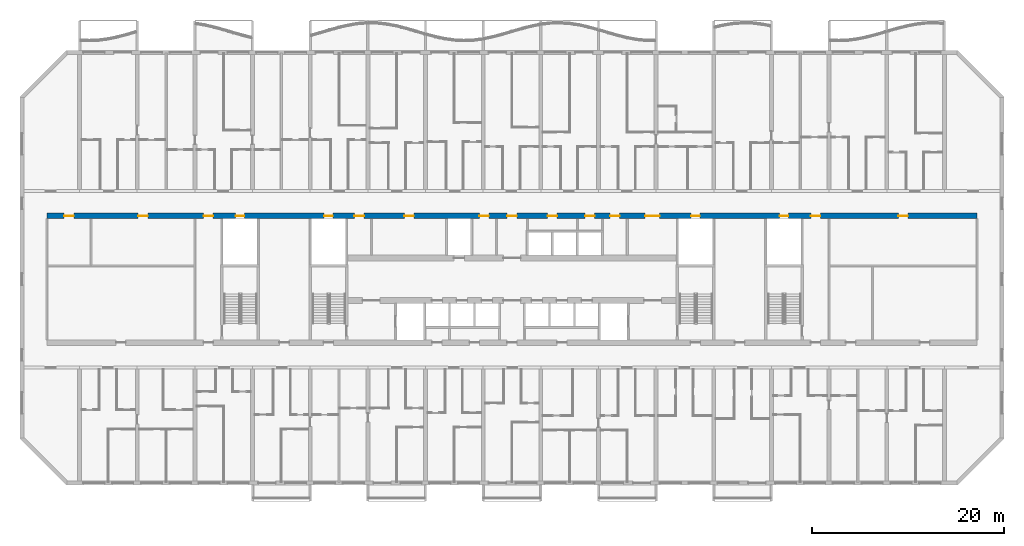
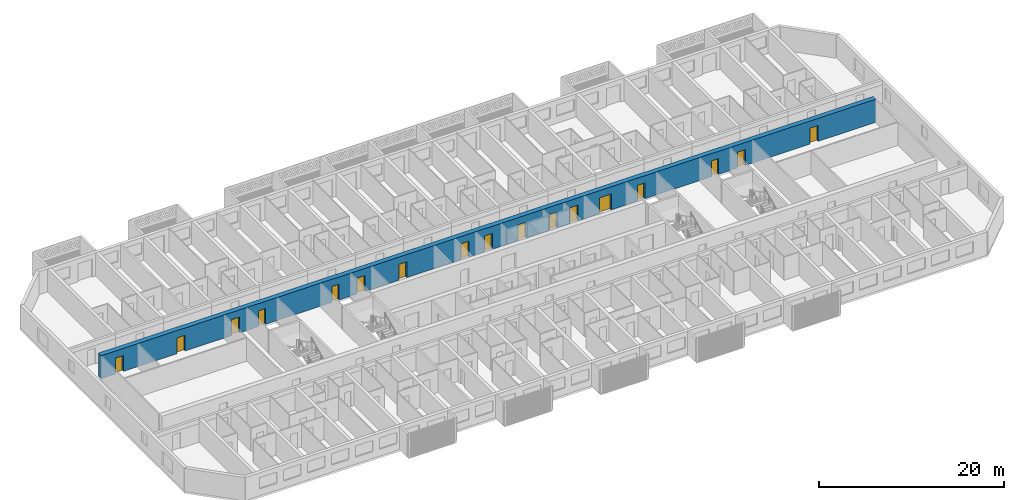
# One storey, part 11 of 44: 17 doors, 1 wall, 17 openings.
"""IFC4 building model written with IfcOpenShell, lengths in metres."""

import ifcopenshell
import ifcopenshell.guid

model = None  # the IFC model being written
_history = None  # IfcOwnerHistory: only IFC2X3 demands one
_inside = {}  # id of a spatial element -> (the spatial element, [elements in it])
_under = {}  # id of a project, library or spatial element -> (it, [spatial elements below it])
_declared = {}  # id of a project -> (the project, [libraries it declares])
_typed = {}  # id of a type object -> (the type object, [elements of that type])
_made_of = {}  # id of a material, layer set ... -> (it, [elements and type objects made of it])


def new_model(schema):
    """Start an empty IFC model of exactly this schema.

    Asked for "IFC4X3", IfcOpenShell would pick the latest addendum, in which some entities
    have other attributes; the version numbers below select the first issue.
    IFC2X3 requires an IfcOwnerHistory on every rooted entity: one is made here for all.
    """
    global model, _history
    if schema == "IFC4X3":
        model = ifcopenshell.file(schema_version=(4, 3, 0, 0))
    else:
        model = ifcopenshell.file(schema=schema)
    _inside.clear()
    _under.clear()
    _declared.clear()
    _typed.clear()
    _made_of.clear()
    _history = None
    if model.schema == "IFC2X3":
        org = make("IfcOrganization", Name="unknown")
        user = make(
            "IfcPersonAndOrganization",
            ThePerson=make("IfcPerson", FamilyName="unknown"),
            TheOrganization=org,
        )
        app = make(
            "IfcApplication",
            ApplicationDeveloper=org,
            Version="unknown",
            ApplicationFullName="unknown",
            ApplicationIdentifier="unknown",
        )
        _history = make(
            "IfcOwnerHistory",
            OwningUser=user,
            OwningApplication=app,
            ChangeAction="ADDED",
            CreationDate=0,
        )
    return model


def make(cls, **values):
    """One entity of the class cls with the attributes given. An attribute that is None is left unset."""
    return model.create_entity(
        cls, **{name: value for name, value in values.items() if value is not None}
    )


def rooted(cls, **values):
    """An entity with a GlobalId (a new one), such as an element, a storey or a relation."""
    return make(cls, GlobalId=ifcopenshell.guid.new(), OwnerHistory=_history, **values)


def si_unit(unit_type, name, prefix=None):
    """IfcSIUnit, for example si_unit("LENGTHUNIT", "METRE", prefix="MILLI")."""
    return make("IfcSIUnit", UnitType=unit_type, Prefix=prefix, Name=name)


def assignment(units):
    """IfcUnitAssignment: the units of a project."""
    return None if units is None else make("IfcUnitAssignment", Units=units)


def point(xyz):
    """IfcCartesianPoint."""
    return None if xyz is None else make("IfcCartesianPoint", Coordinates=xyz)


def direction(xyz):
    """IfcDirection."""
    return None if xyz is None else make("IfcDirection", DirectionRatios=xyz)


def frame(location, z_axis=None, x_axis=None):
    """IfcAxis2Placement3D, a coordinate frame: its origin and axes. An axis left out is left unset."""
    return make(
        "IfcAxis2Placement3D",
        Location=point(location),
        Axis=direction(z_axis),
        RefDirection=direction(x_axis),
    )


def frame_2d(location, x_axis=None):
    """IfcAxis2Placement2D, a coordinate frame in the plane: its origin and x axis."""
    return make(
        "IfcAxis2Placement2D", Location=point(location), RefDirection=direction(x_axis)
    )


def origin():
    """The frame at (0, 0, 0) with its axes left unset."""
    return frame((0.0, 0.0, 0.0))


def place(relative_to, where):
    """IfcLocalPlacement: puts the frame where relative to a parent placement (None: the world)."""
    return make(
        "IfcLocalPlacement", PlacementRelTo=relative_to, RelativePlacement=where
    )


def context(
    kind, dimensions, precision=None, world=None, true_north=None, identifier=None
):
    """IfcGeometricRepresentationContext, for example the 3D "Model" context."""
    return make(
        "IfcGeometricRepresentationContext",
        ContextIdentifier=identifier,
        ContextType=kind,
        CoordinateSpaceDimension=dimensions,
        Precision=precision,
        WorldCoordinateSystem=world,
        TrueNorth=true_north,
    )


def subcontext(parent, identifier, kind, view, scale=None):
    """IfcGeometricRepresentationSubContext, for example "Body" below "Model"."""
    return make(
        "IfcGeometricRepresentationSubContext",
        ContextIdentifier=identifier,
        ContextType=kind,
        ParentContext=parent,
        TargetScale=scale,
        TargetView=view,
    )


def project(units=None, contexts=None):
    """IfcProject with its units and contexts."""
    return rooted(
        "IfcProject",
        Name="project",
        RepresentationContexts=contexts,
        UnitsInContext=assignment(units),
    )


def spatial(cls, under=None, at=None, **own):
    """A site, building, storey or space (cls), placed at a placement, below another one or the project."""
    s = rooted(cls, ObjectPlacement=at, **own)
    if under is not None:
        _under.setdefault(under.id(), (under, []))[1].append(s)
    return s


def profile(cls, at=None, kind="AREA", **sizes):
    """A parametric profile (cls). Its sizes go by their IFC names, for example OverallWidth=200.0."""
    return make(cls, ProfileType=kind, Position=at, **sizes)


def rectangle(**sizes):
    """IfcRectangleProfileDef."""
    return profile("IfcRectangleProfileDef", **sizes)


def extrude(swept, where, along, depth):
    """IfcExtrudedAreaSolid: the profile swept, set in the frame where, extruded along a direction by depth."""
    return make(
        "IfcExtrudedAreaSolid",
        SweptArea=swept,
        Position=where,
        ExtrudedDirection=direction(along),
        Depth=depth,
    )


def shape(context_of_items, identifier, shape_type, items):
    """IfcShapeRepresentation: the items that make up one representation, for example the "Body"."""
    return make(
        "IfcShapeRepresentation",
        ContextOfItems=context_of_items,
        RepresentationIdentifier=identifier,
        RepresentationType=shape_type,
        Items=items,
    )


def material(Name=None, Category=None):
    """IfcMaterial."""
    return make("IfcMaterial", Name=Name, Category=Category)


def layer(
    of_material, thickness, ventilated=None, Name=None, Category=None, Priority=None
):
    """IfcMaterialLayer: one layer of a wall or slab, of a material (None: an air gap)."""
    return make(
        "IfcMaterialLayer",
        Material=of_material,
        LayerThickness=thickness,
        IsVentilated=ventilated,
        Name=Name,
        Category=Category,
        Priority=Priority,
    )


def layer_set(layers, Name=None):
    """IfcMaterialLayerSet."""
    return make("IfcMaterialLayerSet", MaterialLayers=layers, LayerSetName=Name)


def made_of(thing, what):
    """Note that an element or type object is made of a material, layer set ...; save() writes the relation."""
    if what is not None:
        _made_of.setdefault(what.id(), (what, []))[1].append(thing)
    return thing


def type_object(cls, material=None, **own):
    """A type object (cls), such as IfcWallType, which elements share."""
    return made_of(rooted(cls, **own), material)


def element(
    cls,
    number,
    at=None,
    inside=None,
    cuts=None,
    type_object=None,
    material=None,
    context=None,
    identifier="Body",
    shape_type=None,
    held_by="IfcProductDefinitionShape",
    body=None,
    shapes=None,
    **own,
):
    """One element of the class cls, such as IfcWall. Its Tag is "e" and its number.

    at: its placement. inside: the storey or other place that contains it. cuts: it is an
    opening in that element (IfcRelVoidsElement). A single representation is given by context,
    identifier, shape_type and body (its items); several are given by shapes. held_by: the class
    of the entity that holds the representations. save() writes the other relations.
    """
    e = rooted(cls, Tag="e%d" % number, ObjectPlacement=at, **own)
    if body is not None:
        shapes = [shape(context, identifier, shape_type, body)]
    if shapes is not None:
        e.Representation = make(held_by, Representations=shapes)
    if inside is not None:
        _inside.setdefault(inside.id(), (inside, []))[1].append(e)
    if cuts is not None:
        rooted(
            "IfcRelVoidsElement", RelatingBuildingElement=cuts, RelatedOpeningElement=e
        )
    if type_object is not None:
        _typed.setdefault(type_object.id(), (type_object, []))[1].append(e)
    return made_of(e, material)


def fill(opening, filler):
    """IfcRelFillsElement: the door or window that sits in an opening."""
    return rooted(
        "IfcRelFillsElement",
        RelatingOpeningElement=opening,
        RelatedBuildingElement=filler,
    )


def aggregate(whole, parts):
    """IfcRelAggregates: a whole, such as a stair, and the parts it consists of."""
    return rooted("IfcRelAggregates", RelatingObject=whole, RelatedObjects=parts)


def save(model, path):
    """Write the relations noted so far, then the file.

    IfcRelAggregates (storeys below a building ...), IfcRelContainedInSpatialStructure (elements
    in a storey), IfcRelDefinesByType, IfcRelAssociatesMaterial and IfcRelDeclares: one each for
    every whole, place, type object, material and project.
    """
    for whole, parts in _under.values():
        aggregate(whole, parts)
    for where, things in _inside.values():
        rooted(
            "IfcRelContainedInSpatialStructure",
            RelatedElements=things,
            RelatingStructure=where,
        )
    for kind, things in _typed.values():
        rooted("IfcRelDefinesByType", RelatedObjects=things, RelatingType=kind)
    for what, things in _made_of.values():
        rooted("IfcRelAssociatesMaterial", RelatedObjects=things, RelatingMaterial=what)
    for by, libraries in _declared.values():
        rooted("IfcRelDeclares", RelatingContext=by, RelatedDefinitions=libraries)
    model.write(path)


model = new_model("IFC4")

# Units and contexts
model_context = context("Model", 3, precision=1e-05, world=origin(), true_north=direction((0.0, 1.0)))
body_context = subcontext(model_context, "Body", "Model", "MODEL_VIEW")
ifc_project = project(units=[si_unit("LENGTHUNIT", "METRE"), si_unit("AREAUNIT", "SQUARE_METRE"), si_unit("VOLUMEUNIT", "CUBIC_METRE"), si_unit("PLANEANGLEUNIT", "RADIAN"), si_unit("MASSUNIT", "GRAM", prefix="KILO")], contexts=[model_context])

# Site, building, storey
site_placement = place(None, origin())
site = spatial("IfcSite", under=ifc_project, at=site_placement, CompositionType="ELEMENT")
building_placement = place(site_placement, origin())
building = spatial("IfcBuilding", under=site, at=building_placement, Name="Poui Terraces", CompositionType="ELEMENT")
storey_placement = place(building_placement, frame((0.0, 0.0, 30.0)))
storey = spatial("IfcBuildingStorey", under=building, at=storey_placement, Name="L07", CompositionType="ELEMENT", Elevation=30.0)

# Wall, openings, doors
ifc_material_1 = material(Name="Concrete 80 MPa", Category="concrete")
ifc_layer = layer(ifc_material_1, 0.60009765625)
ifc_layer_set = layer_set([ifc_layer], Name="Concrete 80 MPa")
wall_type = type_object("IfcWallType", Name="SPINE WALL 600 80 MPA", PredefinedType="SOLIDWALL", material=ifc_layer_set)
wall_placement = place(storey_placement, frame((2.60009765625, 27.800048828125, 0.0), z_axis=(0.0, 0.0, 1.0), x_axis=(1.0, 0.0, 0.0)))
wall = element("IfcWall", 1, at=wall_placement, inside=storey, type_object=wall_type, Name="SPINE WALL", PredefinedType="SOLIDWALL", context=body_context, shape_type="SweptSolid", body=[
    extrude(rectangle(XDim=96.7998046875, YDim=0.60009765625, at=frame_2d((48.39990234375, 0.0))), origin(), (0.0, 0.0, 1.0), 3.050048828125),
])
opening_1_placement = place(wall_placement, frame((1.800048828125, 0.0, 0.0)))
opening_1 = element("IfcOpeningElement", 2, at=opening_1_placement, cuts=wall, Name="Opening FD60", PredefinedType="OPENING", context=body_context, shape_type="SweptSolid", body=[
    extrude(rectangle(XDim=1.0, YDim=2.10009765625, at=frame_2d((0.5, 1.050048828125))), frame((0.0, 0.31005859375, 0.0), z_axis=(0.0, -1.0, 0.0), x_axis=(1.0, 0.0, 0.0)), (0.0, 0.0, 1.0), 0.6201171875),
])
opening_2_placement = place(wall_placement, frame((9.5, 0.0, 0.0)))
opening_2 = element("IfcOpeningElement", 3, at=opening_2_placement, cuts=wall, Name="Opening FD60", PredefinedType="OPENING", context=body_context, shape_type="SweptSolid", body=[
    extrude(rectangle(XDim=1.0, YDim=2.10009765625, at=frame_2d((0.5, 1.050048828125))), frame((0.0, 0.31005859375, 0.0), z_axis=(0.0, -1.0, 0.0), x_axis=(1.0, 0.0, 0.0)), (0.0, 0.0, 1.0), 0.6201171875),
])
opening_3_placement = place(wall_placement, frame((16.300048828125, 0.0, 0.0)))
opening_3 = element("IfcOpeningElement", 4, at=opening_3_placement, cuts=wall, Name="Opening FDL", PredefinedType="OPENING", context=body_context, shape_type="SweptSolid", body=[
    extrude(rectangle(XDim=1.0, YDim=2.10009765625, at=frame_2d((0.5, 1.050048828125))), frame((0.0, 0.31005859375, 0.0), z_axis=(0.0, -1.0, 0.0), x_axis=(1.0, 0.0, 0.0)), (0.0, 0.0, 1.0), 0.6201171875),
])
opening_4_placement = place(wall_placement, frame((19.64990234375, 0.0, 0.0)))
opening_4 = element("IfcOpeningElement", 5, at=opening_4_placement, cuts=wall, Name="Opening FDR", PredefinedType="OPENING", context=body_context, shape_type="SweptSolid", body=[
    extrude(rectangle(XDim=0.89990234375, YDim=2.10009765625, at=frame_2d((0.449951171875, 1.050048828125))), frame((0.0, 0.31005859375, 0.0), z_axis=(0.0, -1.0, 0.0), x_axis=(1.0, 0.0, 0.0)), (0.0, 0.0, 1.0), 0.6201171875),
])
opening_5_placement = place(wall_placement, frame((28.85009765625, 0.0, 0.0)))
opening_5 = element("IfcOpeningElement", 6, at=opening_5_placement, cuts=wall, Name="Opening FDR", PredefinedType="OPENING", context=body_context, shape_type="SweptSolid", body=[
    extrude(rectangle(XDim=0.89990234375, YDim=2.10009765625, at=frame_2d((0.449951171875, 1.050048828125))), frame((0.0, 0.31005859375, 0.0), z_axis=(0.0, -1.0, 0.0), x_axis=(1.0, 0.0, 0.0)), (0.0, 0.0, 1.0), 0.6201171875),
])
opening_6_placement = place(wall_placement, frame((32.0, 0.0, 0.0)))
opening_6 = element("IfcOpeningElement", 7, at=opening_6_placement, cuts=wall, Name="Opening FD60", PredefinedType="OPENING", context=body_context, shape_type="SweptSolid", body=[
    extrude(rectangle(XDim=1.0, YDim=2.10009765625, at=frame_2d((0.5, 1.050048828125))), frame((0.0, 0.31005859375, 0.0), z_axis=(0.0, -1.0, 0.0), x_axis=(1.0, 0.0, 0.0)), (0.0, 0.0, 1.0), 0.6201171875),
])
opening_7_placement = place(wall_placement, frame((37.199951171875, 0.0, 0.0)))
opening_7 = element("IfcOpeningElement", 8, at=opening_7_placement, cuts=wall, Name="Opening FD60", PredefinedType="OPENING", context=body_context, shape_type="SweptSolid", body=[
    extrude(rectangle(XDim=1.0, YDim=2.10009765625, at=frame_2d((0.5, 1.050048828125))), frame((0.0, 0.31005859375, 0.0), z_axis=(0.0, -1.0, 0.0), x_axis=(1.0, 0.0, 0.0)), (0.0, 0.0, 1.0), 0.6201171875),
])
opening_8_placement = place(wall_placement, frame((45.0, 0.0, 0.0)))
opening_8 = element("IfcOpeningElement", 9, at=opening_8_placement, cuts=wall, Name="Opening FD60", PredefinedType="OPENING", context=body_context, shape_type="SweptSolid", body=[
    extrude(rectangle(XDim=1.0, YDim=2.10009765625, at=frame_2d((0.5, 1.050048828125))), frame((0.0, 0.31005859375, 0.0), z_axis=(0.0, -1.0, 0.0), x_axis=(1.0, 0.0, 0.0)), (0.0, 0.0, 1.0), 0.6201171875),
])
opening_9_placement = place(wall_placement, frame((47.89990234375, 0.0, 0.0)))
opening_9 = element("IfcOpeningElement", 10, at=opening_9_placement, cuts=wall, Name="Opening FDL", PredefinedType="OPENING", context=body_context, shape_type="SweptSolid", body=[
    extrude(rectangle(XDim=1.0, YDim=2.10009765625, at=frame_2d((0.5, 1.050048828125))), frame((0.0, 0.31005859375, 0.0), z_axis=(0.0, -1.0, 0.0), x_axis=(1.0, 0.0, 0.0)), (0.0, 0.0, 1.0), 0.6201171875),
])
opening_10_placement = place(wall_placement, frame((52.10009765625, 0.0, 0.0)))
opening_10 = element("IfcOpeningElement", 11, at=opening_10_placement, cuts=wall, Name="Opening FD60", PredefinedType="OPENING", context=body_context, shape_type="SweptSolid", body=[
    extrude(rectangle(XDim=1.0, YDim=2.10009765625, at=frame_2d((0.5, 1.050048828125))), frame((0.0, 0.31005859375, 0.0), z_axis=(0.0, -1.0, 0.0), x_axis=(1.0, 0.0, 0.0)), (0.0, 0.0, 1.0), 0.6201171875),
])
opening_11_placement = place(wall_placement, frame((56.0, 0.0, 0.0)))
opening_11 = element("IfcOpeningElement", 12, at=opening_11_placement, cuts=wall, Name="Opening FD60", PredefinedType="OPENING", context=body_context, shape_type="SweptSolid", body=[
    extrude(rectangle(XDim=1.0, YDim=2.10009765625, at=frame_2d((0.5, 1.050048828125))), frame((0.0, 0.31005859375, 0.0), z_axis=(0.0, -1.0, 0.0), x_axis=(1.0, 0.0, 0.0)), (0.0, 0.0, 1.0), 0.6201171875),
])
opening_12_placement = place(wall_placement, frame((58.60009765625, 0.0, 0.0)))
opening_12 = element("IfcOpeningElement", 13, at=opening_12_placement, cuts=wall, Name="Opening FD60", PredefinedType="OPENING", context=body_context, shape_type="SweptSolid", body=[
    extrude(rectangle(XDim=1.0, YDim=2.10009765625, at=frame_2d((0.5, 1.050048828125))), frame((0.0, 0.31005859375, 0.0), z_axis=(0.0, -1.0, 0.0), x_axis=(1.0, 0.0, 0.0)), (0.0, 0.0, 1.0), 0.6201171875),
])
opening_13_placement = place(wall_placement, frame((62.25, 0.0, 0.0)))
opening_13 = element("IfcOpeningElement", 14, at=opening_13_placement, cuts=wall, Name="Opening FDP", PredefinedType="OPENING", context=body_context, shape_type="SweptSolid", body=[
    extrude(rectangle(XDim=1.5, YDim=2.10009765625, at=frame_2d((0.75, 1.050048828125))), frame((0.0, 0.31005859375, 0.0), z_axis=(0.0, -1.0, 0.0), x_axis=(1.0, 0.0, 0.0)), (0.0, 0.0, 1.0), 0.6201171875),
])
opening_14_placement = place(wall_placement, frame((67.050048828125, 0.0, 0.0)))
opening_14 = element("IfcOpeningElement", 15, at=opening_14_placement, cuts=wall, Name="Opening FDR", PredefinedType="OPENING", context=body_context, shape_type="SweptSolid", body=[
    extrude(rectangle(XDim=0.89990234375, YDim=2.10009765625, at=frame_2d((0.449951171875, 1.050048828125))), frame((0.0, 0.31005859375, 0.0), z_axis=(0.0, -1.0, 0.0), x_axis=(1.0, 0.0, 0.0)), (0.0, 0.0, 1.0), 0.6201171875),
])
opening_15_placement = place(wall_placement, frame((76.25, 0.0, 0.0)))
opening_15 = element("IfcOpeningElement", 16, at=opening_15_placement, cuts=wall, Name="Opening FDR", PredefinedType="OPENING", context=body_context, shape_type="SweptSolid", body=[
    extrude(rectangle(XDim=0.89990234375, YDim=2.10009765625, at=frame_2d((0.449951171875, 1.050048828125))), frame((0.0, 0.31005859375, 0.0), z_axis=(0.0, -1.0, 0.0), x_axis=(1.0, 0.0, 0.0)), (0.0, 0.0, 1.0), 0.6201171875),
])
opening_16_placement = place(wall_placement, frame((79.5, 0.0, 0.0)))
opening_16 = element("IfcOpeningElement", 17, at=opening_16_placement, cuts=wall, Name="Opening FDL", PredefinedType="OPENING", context=body_context, shape_type="SweptSolid", body=[
    extrude(rectangle(XDim=1.0, YDim=2.10009765625, at=frame_2d((0.5, 1.050048828125))), frame((0.0, 0.31005859375, 0.0), z_axis=(0.0, -1.0, 0.0), x_axis=(1.0, 0.0, 0.0)), (0.0, 0.0, 1.0), 0.6201171875),
])
opening_17_placement = place(wall_placement, frame((88.60009765625, 0.0, 0.0)))
opening_17 = element("IfcOpeningElement", 18, at=opening_17_placement, cuts=wall, Name="Opening D100", PredefinedType="OPENING", context=body_context, shape_type="SweptSolid", body=[
    extrude(rectangle(XDim=1.0, YDim=2.10009765625, at=frame_2d((0.5, 1.050048828125))), frame((0.0, 0.31005859375, 0.0), z_axis=(0.0, -1.0, 0.0), x_axis=(1.0, 0.0, 0.0)), (0.0, 0.0, 1.0), 0.6201171875),
])
ifc_material_2 = material(Name="Solid core timber door", Category="wood")
door_type_1 = type_object("IfcDoorType", Name="ACCESSIBLE INTERNAL DOOR 1000 X 2100", OperationType="NOTDEFINED", PredefinedType="DOOR", material=ifc_material_2)
door_1_placement = place(opening_17_placement, origin())
door_1 = element("IfcDoor", 19, at=door_1_placement, inside=storey, type_object=door_type_1, Name="ACCESSIBLE INTERNAL DOOR 017", OperationType="SINGLE_SWING_RIGHT", OverallHeight=2.10009765625, OverallWidth=1.0, PredefinedType="DOOR", context=body_context, shape_type="SweptSolid", body=[
    extrude(rectangle(XDim=1.0, YDim=2.10009765625, at=frame_2d((0.5, 1.050048828125))), frame((0.0, 0.02490234375, 0.0), z_axis=(0.0, -1.0, 0.0), x_axis=(1.0, 0.0, 0.0)), (0.0, 0.0, 1.0), 0.050048828125),
])
fill(opening_17, door_1)
ifc_material_3 = material(Name="Steel fire door", Category="steel")
door_type_2 = type_object("IfcDoorType", Name="LOBBY FIRE DOOR 1000 X 2100", OperationType="NOTDEFINED", PredefinedType="DOOR", material=ifc_material_3)
door_2_placement = place(opening_3_placement, origin())
door_2 = element("IfcDoor", 20, at=door_2_placement, inside=storey, type_object=door_type_2, Name="LOBBY FIRE DOOR 003", OperationType="SINGLE_SWING_LEFT", OverallHeight=2.10009765625, OverallWidth=1.0, PredefinedType="DOOR", context=body_context, shape_type="SweptSolid", body=[
    extrude(rectangle(XDim=1.0, YDim=2.10009765625, at=frame_2d((0.5, 1.050048828125))), frame((0.0, 0.02490234375, 0.0), z_axis=(0.0, -1.0, 0.0), x_axis=(1.0, 0.0, 0.0)), (0.0, 0.0, 1.0), 0.050048828125),
])
fill(opening_3, door_2)
door_3_placement = place(opening_9_placement, origin())
door_3 = element("IfcDoor", 21, at=door_3_placement, inside=storey, type_object=door_type_2, Name="LOBBY FIRE DOOR 009", OperationType="SINGLE_SWING_RIGHT", OverallHeight=2.10009765625, OverallWidth=1.0, PredefinedType="DOOR", context=body_context, shape_type="SweptSolid", body=[
    extrude(rectangle(XDim=1.0, YDim=2.10009765625, at=frame_2d((0.5, 1.050048828125))), frame((0.0, 0.02490234375, 0.0), z_axis=(0.0, -1.0, 0.0), x_axis=(1.0, 0.0, 0.0)), (0.0, 0.0, 1.0), 0.050048828125),
])
fill(opening_9, door_3)
door_4_placement = place(opening_16_placement, origin())
door_4 = element("IfcDoor", 22, at=door_4_placement, inside=storey, type_object=door_type_2, Name="LOBBY FIRE DOOR 016", OperationType="SINGLE_SWING_RIGHT", OverallHeight=2.10009765625, OverallWidth=1.0, PredefinedType="DOOR", context=body_context, shape_type="SweptSolid", body=[
    extrude(rectangle(XDim=1.0, YDim=2.10009765625, at=frame_2d((0.5, 1.050048828125))), frame((0.0, 0.02490234375, 0.0), z_axis=(0.0, -1.0, 0.0), x_axis=(1.0, 0.0, 0.0)), (0.0, 0.0, 1.0), 0.050048828125),
])
fill(opening_16, door_4)
door_type_3 = type_object("IfcDoorType", Name="PLANT ROOM DOOR PAIR 1500 X 2100", OperationType="DOUBLE_DOOR_SINGLE_SWING", PredefinedType="DOOR", material=ifc_material_3)
door_5_placement = place(opening_13_placement, origin())
door_5 = element("IfcDoor", 23, at=door_5_placement, inside=storey, type_object=door_type_3, Name="PLANT ROOM DOOR PAIR 013", OperationType="DOUBLE_DOOR_SINGLE_SWING", OverallHeight=2.10009765625, OverallWidth=1.5, PredefinedType="DOOR", context=body_context, shape_type="SweptSolid", body=[
    extrude(rectangle(XDim=1.5, YDim=2.10009765625, at=frame_2d((0.75, 1.050048828125))), frame((0.0, 0.02490234375, 0.0), z_axis=(0.0, -1.0, 0.0), x_axis=(1.0, 0.0, 0.0)), (0.0, 0.0, 1.0), 0.050048828125),
])
fill(opening_13, door_5)
door_type_4 = type_object("IfcDoorType", Name="RISER CUPBOARD DOOR 900 X 2100", OperationType="NOTDEFINED", PredefinedType="DOOR", material=ifc_material_3)
door_6_placement = place(opening_4_placement, origin())
door_6 = element("IfcDoor", 24, at=door_6_placement, inside=storey, type_object=door_type_4, Name="RISER CUPBOARD DOOR 004", OperationType="SINGLE_SWING_LEFT", OverallHeight=2.10009765625, OverallWidth=0.89990234375, PredefinedType="DOOR", context=body_context, shape_type="SweptSolid", body=[
    extrude(rectangle(XDim=0.89990234375, YDim=2.10009765625, at=frame_2d((0.449951171875, 1.050048828125))), frame((0.0, 0.02490234375, 0.0), z_axis=(0.0, -1.0, 0.0), x_axis=(1.0, 0.0, 0.0)), (0.0, 0.0, 1.0), 0.050048828125),
])
fill(opening_4, door_6)
door_7_placement = place(opening_5_placement, origin())
door_7 = element("IfcDoor", 25, at=door_7_placement, inside=storey, type_object=door_type_4, Name="RISER CUPBOARD DOOR 005", OperationType="SINGLE_SWING_LEFT", OverallHeight=2.10009765625, OverallWidth=0.89990234375, PredefinedType="DOOR", context=body_context, shape_type="SweptSolid", body=[
    extrude(rectangle(XDim=0.89990234375, YDim=2.10009765625, at=frame_2d((0.449951171875, 1.050048828125))), frame((0.0, 0.02490234375, 0.0), z_axis=(0.0, -1.0, 0.0), x_axis=(1.0, 0.0, 0.0)), (0.0, 0.0, 1.0), 0.050048828125),
])
fill(opening_5, door_7)
door_8_placement = place(opening_14_placement, origin())
door_8 = element("IfcDoor", 26, at=door_8_placement, inside=storey, type_object=door_type_4, Name="RISER CUPBOARD DOOR 014", OperationType="SINGLE_SWING_RIGHT", OverallHeight=2.10009765625, OverallWidth=0.89990234375, PredefinedType="DOOR", context=body_context, shape_type="SweptSolid", body=[
    extrude(rectangle(XDim=0.89990234375, YDim=2.10009765625, at=frame_2d((0.449951171875, 1.050048828125))), frame((0.0, 0.02490234375, 0.0), z_axis=(0.0, -1.0, 0.0), x_axis=(1.0, 0.0, 0.0)), (0.0, 0.0, 1.0), 0.050048828125),
])
fill(opening_14, door_8)
door_9_placement = place(opening_15_placement, origin())
door_9 = element("IfcDoor", 27, at=door_9_placement, inside=storey, type_object=door_type_4, Name="RISER CUPBOARD DOOR 015", OperationType="SINGLE_SWING_RIGHT", OverallHeight=2.10009765625, OverallWidth=0.89990234375, PredefinedType="DOOR", context=body_context, shape_type="SweptSolid", body=[
    extrude(rectangle(XDim=0.89990234375, YDim=2.10009765625, at=frame_2d((0.449951171875, 1.050048828125))), frame((0.0, 0.02490234375, 0.0), z_axis=(0.0, -1.0, 0.0), x_axis=(1.0, 0.0, 0.0)), (0.0, 0.0, 1.0), 0.050048828125),
])
fill(opening_15, door_9)
door_type_5 = type_object("IfcDoorType", Name="SERVICE ROOM FIRE DOOR 1000 X 2100", OperationType="NOTDEFINED", PredefinedType="DOOR", material=ifc_material_3)
door_10_placement = place(opening_1_placement, origin())
door_10 = element("IfcDoor", 28, at=door_10_placement, inside=storey, type_object=door_type_5, Name="SERVICE ROOM FIRE DOOR 001", OperationType="SINGLE_SWING_RIGHT", OverallHeight=2.10009765625, OverallWidth=1.0, PredefinedType="DOOR", context=body_context, shape_type="SweptSolid", body=[
    extrude(rectangle(XDim=1.0, YDim=2.10009765625, at=frame_2d((0.5, 1.050048828125))), frame((0.0, 0.02490234375, 0.0), z_axis=(0.0, -1.0, 0.0), x_axis=(1.0, 0.0, 0.0)), (0.0, 0.0, 1.0), 0.050048828125),
])
fill(opening_1, door_10)
door_11_placement = place(opening_2_placement, origin())
door_11 = element("IfcDoor", 29, at=door_11_placement, inside=storey, type_object=door_type_5, Name="SERVICE ROOM FIRE DOOR 002", OperationType="SINGLE_SWING_LEFT", OverallHeight=2.10009765625, OverallWidth=1.0, PredefinedType="DOOR", context=body_context, shape_type="SweptSolid", body=[
    extrude(rectangle(XDim=1.0, YDim=2.10009765625, at=frame_2d((0.5, 1.050048828125))), frame((0.0, 0.02490234375, 0.0), z_axis=(0.0, -1.0, 0.0), x_axis=(1.0, 0.0, 0.0)), (0.0, 0.0, 1.0), 0.050048828125),
])
fill(opening_2, door_11)
door_12_placement = place(opening_6_placement, origin())
door_12 = element("IfcDoor", 30, at=door_12_placement, inside=storey, type_object=door_type_5, Name="SERVICE ROOM FIRE DOOR 006", OperationType="SINGLE_SWING_RIGHT", OverallHeight=2.10009765625, OverallWidth=1.0, PredefinedType="DOOR", context=body_context, shape_type="SweptSolid", body=[
    extrude(rectangle(XDim=1.0, YDim=2.10009765625, at=frame_2d((0.5, 1.050048828125))), frame((0.0, 0.02490234375, 0.0), z_axis=(0.0, -1.0, 0.0), x_axis=(1.0, 0.0, 0.0)), (0.0, 0.0, 1.0), 0.050048828125),
])
fill(opening_6, door_12)
door_13_placement = place(opening_7_placement, origin())
door_13 = element("IfcDoor", 31, at=door_13_placement, inside=storey, type_object=door_type_5, Name="SERVICE ROOM FIRE DOOR 007", OperationType="SINGLE_SWING_LEFT", OverallHeight=2.10009765625, OverallWidth=1.0, PredefinedType="DOOR", context=body_context, shape_type="SweptSolid", body=[
    extrude(rectangle(XDim=1.0, YDim=2.10009765625, at=frame_2d((0.5, 1.050048828125))), frame((0.0, 0.02490234375, 0.0), z_axis=(0.0, -1.0, 0.0), x_axis=(1.0, 0.0, 0.0)), (0.0, 0.0, 1.0), 0.050048828125),
])
fill(opening_7, door_13)
door_14_placement = place(opening_8_placement, origin())
door_14 = element("IfcDoor", 32, at=door_14_placement, inside=storey, type_object=door_type_5, Name="SERVICE ROOM FIRE DOOR 008", OperationType="SINGLE_SWING_RIGHT", OverallHeight=2.10009765625, OverallWidth=1.0, PredefinedType="DOOR", context=body_context, shape_type="SweptSolid", body=[
    extrude(rectangle(XDim=1.0, YDim=2.10009765625, at=frame_2d((0.5, 1.050048828125))), frame((0.0, 0.02490234375, 0.0), z_axis=(0.0, -1.0, 0.0), x_axis=(1.0, 0.0, 0.0)), (0.0, 0.0, 1.0), 0.050048828125),
])
fill(opening_8, door_14)
door_15_placement = place(opening_10_placement, origin())
door_15 = element("IfcDoor", 33, at=door_15_placement, inside=storey, type_object=door_type_5, Name="SERVICE ROOM FIRE DOOR 010", OperationType="SINGLE_SWING_LEFT", OverallHeight=2.10009765625, OverallWidth=1.0, PredefinedType="DOOR", context=body_context, shape_type="SweptSolid", body=[
    extrude(rectangle(XDim=1.0, YDim=2.10009765625, at=frame_2d((0.5, 1.050048828125))), frame((0.0, 0.02490234375, 0.0), z_axis=(0.0, -1.0, 0.0), x_axis=(1.0, 0.0, 0.0)), (0.0, 0.0, 1.0), 0.050048828125),
])
fill(opening_10, door_15)
door_16_placement = place(opening_11_placement, origin())
door_16 = element("IfcDoor", 34, at=door_16_placement, inside=storey, type_object=door_type_5, Name="SERVICE ROOM FIRE DOOR 011", OperationType="SINGLE_SWING_RIGHT", OverallHeight=2.10009765625, OverallWidth=1.0, PredefinedType="DOOR", context=body_context, shape_type="SweptSolid", body=[
    extrude(rectangle(XDim=1.0, YDim=2.10009765625, at=frame_2d((0.5, 1.050048828125))), frame((0.0, 0.02490234375, 0.0), z_axis=(0.0, -1.0, 0.0), x_axis=(1.0, 0.0, 0.0)), (0.0, 0.0, 1.0), 0.050048828125),
])
fill(opening_11, door_16)
door_17_placement = place(opening_12_placement, origin())
door_17 = element("IfcDoor", 35, at=door_17_placement, inside=storey, type_object=door_type_5, Name="SERVICE ROOM FIRE DOOR 012", OperationType="SINGLE_SWING_LEFT", OverallHeight=2.10009765625, OverallWidth=1.0, PredefinedType="DOOR", context=body_context, shape_type="SweptSolid", body=[
    extrude(rectangle(XDim=1.0, YDim=2.10009765625, at=frame_2d((0.5, 1.050048828125))), frame((0.0, 0.02490234375, 0.0), z_axis=(0.0, -1.0, 0.0), x_axis=(1.0, 0.0, 0.0)), (0.0, 0.0, 1.0), 0.050048828125),
])
fill(opening_12, door_17)

save(model, "model.ifc")
